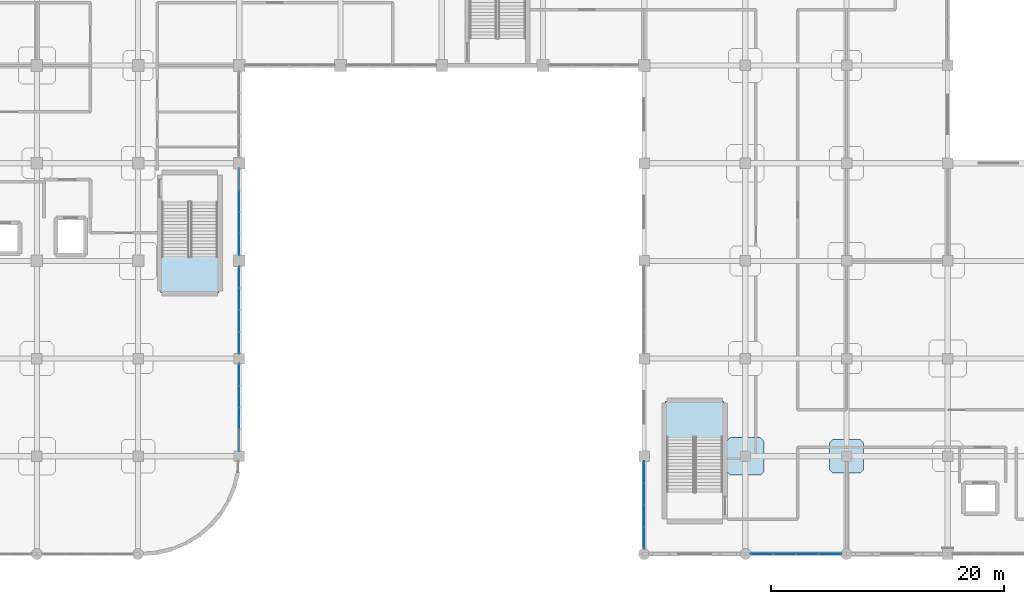
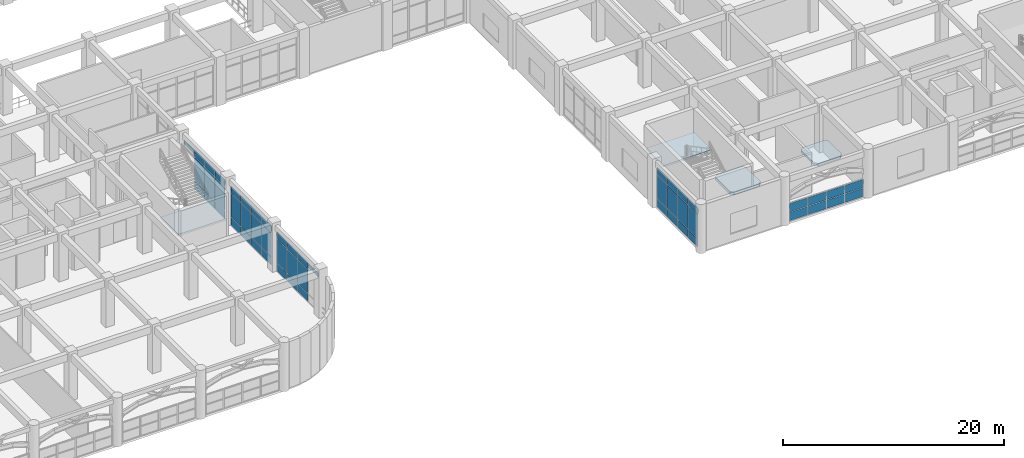
# One storey, part 82 of 114: 55 plates, 4 slabs, 7 elements without a shape of their own.
"""IFC4 building model written with IfcOpenShell, lengths in metres."""

from ifc_helpers import new_model, si_unit, derived_unit, direction, frame, origin, origin_2d, place, context, subcontext, project, spatial, polyline, rectangle, outline, extrude, material, layer, layer_set, type_object, element, aggregate, save


model = new_model("IFC4")

# Units and contexts
model_context = context("Model", 3, precision=1e-05, world=origin(), true_north=direction((0.0, 1.0)))
body_context = subcontext(model_context, "Body", "Model", "MODEL_VIEW")
ifc_project = project(units=[si_unit("LENGTHUNIT", "METRE"), si_unit("AREAUNIT", "SQUARE_METRE"), si_unit("VOLUMEUNIT", "CUBIC_METRE"), si_unit("PLANEANGLEUNIT", "RADIAN"), si_unit("MASSUNIT", "GRAM", prefix="KILO"), derived_unit("THERMALTRANSMITTANCEUNIT", [(si_unit("MASSUNIT", "GRAM", prefix="KILO"), 1), (si_unit("TIMEUNIT", "SECOND"), -3), (si_unit("THERMODYNAMICTEMPERATUREUNIT", "KELVIN"), -1)])], contexts=[model_context])

# Site, building, storey
site_placement = place(None, origin())
site = spatial("IfcSite", under=ifc_project, at=site_placement, CompositionType="ELEMENT")
building_placement = place(site_placement, origin())
building = spatial("IfcBuilding", under=site, at=building_placement, Name="Qinzheling Arcade Emporium", CompositionType="ELEMENT")
storey_placement = place(building_placement, frame((0.0, 0.0, 6.0)))
storey = spatial("IfcBuildingStorey", under=building, at=storey_placement, Name="L02", CompositionType="ELEMENT", Elevation=6.0)

# Slabs
ifc_material_1 = material(Name="Concrete C40", Category="concrete")
ifc_layer_1 = layer(ifc_material_1, 0.27001953125, Name="Concrete C40", Category="concrete")
ifc_layer_set_1 = layer_set([ifc_layer_1], Name="Concrete C40")
slab_type_1 = type_object("IfcSlabType", Name="Column Head Drop Panel 2900x2900x270 C40", PredefinedType="USERDEFINED", material=ifc_layer_set_1)
slab_1_placement = place(storey_placement, frame((0.0, 0.0, -0.56494140625)))
element("IfcSlab", 1, at=slab_1_placement, inside=storey, type_object=slab_type_1, Name="Column Drop Panel DP-L02-15-B", ObjectType="DROP_PANEL", PredefinedType="USERDEFINED", context=body_context, shape_type="SweptSolid", body=[
    extrude(outline(polyline([(120.6298828125, 6.949951171875), (122.969970703125, 6.949951171875), (123.25, 7.22998046875), (123.25, 9.570068359375), (122.969970703125, 9.85009765625), (120.6298828125, 9.85009765625), (120.35009765625, 9.570068359375), (120.35009765625, 7.22998046875), (120.6298828125, 6.949951171875)])), origin(), (0.0, 0.0, 1.0), 0.27001953125),
])
ifc_layer_2 = layer(ifc_material_1, 0.300048828125, Name="Concrete C40", Category="concrete")
ifc_layer_set_2 = layer_set([ifc_layer_2], Name="Concrete C40")
slab_type_2 = type_object("IfcSlabType", Name="Column Head Drop Panel 3200x3200x300 C40", PredefinedType="USERDEFINED", material=ifc_layer_set_2)
slab_2_placement = place(storey_placement, frame((0.0, 0.0, -0.580078125)))
element("IfcSlab", 2, at=slab_2_placement, inside=storey, type_object=slab_type_2, Name="Column Drop Panel DP-L02-14-B", ObjectType="DROP_PANEL", PredefinedType="USERDEFINED", context=body_context, shape_type="SweptSolid", body=[
    extrude(outline(polyline([(111.780029296875, 6.800048828125), (114.419921875, 6.800048828125), (114.699951171875, 7.080078125), (114.699951171875, 9.719970703125), (114.419921875, 10.0), (111.780029296875, 10.0), (111.5, 9.719970703125), (111.5, 7.080078125), (111.780029296875, 6.800048828125)])), origin(), (0.0, 0.0, 1.0), 0.300048828125),
])

# Curtain wall, plates
ifc_material_2 = material(Name="Anodised aluminium and solar-control double glazing", Category="aluminium")
ifc_layer_3 = layer(ifc_material_2, 0.159912109375, Name="Anodised aluminium and solar-control double glazing", Category="aluminium")
ifc_layer_set_3 = layer_set([ifc_layer_3], Name="Anodised aluminium and solar-control double glazing")
curtain_wall_type = type_object("IfcCurtainWallType", Name="Arcade Portal Glazed Curtain Wall", PredefinedType="NOTDEFINED", material=ifc_layer_set_3)
curtain_wall_1_placement = place(storey_placement, origin())
curtain_wall_1 = element("IfcCurtainWall", 3, at=curtain_wall_1_placement, inside=storey, type_object=curtain_wall_type, Name="Curtain Wall CW-L02-066", PredefinedType="NOTDEFINED")
ifc_material_3 = material(Name="Laminated solar-control double glazing", Category="glass")
ifc_layer_4 = layer(ifc_material_3, 0.02490234375, Name="Laminated solar-control double glazing", Category="glass")
ifc_layer_set_4 = layer_set([ifc_layer_4], Name="Laminated solar-control double glazing")
plate_type_1 = type_object("IfcPlateType", Name="Low-E Double Glazed Curtain Panel 25mm", PredefinedType="CURTAIN_PANEL", material=ifc_layer_set_4)
plate_1_placement = place(storey_placement, frame((69.60009765625, 30.324462890625, 0.06005859375), z_axis=(0.0, 0.0, 1.0), x_axis=(0.0, -1.0, 0.0)))
plate_1 = element("IfcPlate", 4, at=plate_1_placement, type_object=plate_type_1, Name="CW05 panel 2.1", PredefinedType="CURTAIN_PANEL", context=body_context, shape_type="SweptSolid", body=[
    extrude(rectangle(XDim=1.7890625, YDim=0.02490234375, at=origin_2d()), origin(), (0.0, 0.0, 1.0), 0.860107421875),
])
plate_2_placement = place(storey_placement, frame((69.60009765625, 30.324462890625, 0.97998046875), z_axis=(0.0, 0.0, 1.0), x_axis=(0.0, -1.0, 0.0)))
plate_2 = element("IfcPlate", 5, at=plate_2_placement, type_object=plate_type_1, Name="CW05 panel 2.2", PredefinedType="CURTAIN_PANEL", context=body_context, shape_type="SweptSolid", body=[
    extrude(rectangle(XDim=1.7890625, YDim=0.02490234375, at=origin_2d()), origin(), (0.0, 0.0, 1.0), 2.594970703125),
])
plate_3_placement = place(storey_placement, frame((69.60009765625, 30.324462890625, 3.634765625), z_axis=(0.0, 0.0, 1.0), x_axis=(0.0, -1.0, 0.0)))
plate_3 = element("IfcPlate", 6, at=plate_3_placement, type_object=plate_type_1, Name="CW05 panel 2.3", PredefinedType="CURTAIN_PANEL", context=body_context, shape_type="SweptSolid", body=[
    extrude(rectangle(XDim=1.7890625, YDim=0.02490234375, at=origin_2d()), origin(), (0.0, 0.0, 1.0), 0.760009765625),
])
plate_4_placement = place(storey_placement, frame((69.60009765625, 28.4755859375, 0.06005859375), z_axis=(0.0, 0.0, 1.0), x_axis=(0.0, -1.0, 0.0)))
plate_4 = element("IfcPlate", 7, at=plate_4_placement, type_object=plate_type_1, Name="CW05 panel 3.1", PredefinedType="CURTAIN_PANEL", context=body_context, shape_type="SweptSolid", body=[
    extrude(rectangle(XDim=1.7890625, YDim=0.02490234375, at=origin_2d()), origin(), (0.0, 0.0, 1.0), 0.860107421875),
])
plate_5_placement = place(storey_placement, frame((69.60009765625, 28.4755859375, 0.97998046875), z_axis=(0.0, 0.0, 1.0), x_axis=(0.0, -1.0, 0.0)))
plate_5 = element("IfcPlate", 8, at=plate_5_placement, type_object=plate_type_1, Name="CW05 panel 3.2", PredefinedType="CURTAIN_PANEL", context=body_context, shape_type="SweptSolid", body=[
    extrude(rectangle(XDim=1.7890625, YDim=0.02490234375, at=origin_2d()), origin(), (0.0, 0.0, 1.0), 2.594970703125),
])
plate_6_placement = place(storey_placement, frame((69.60009765625, 28.4755859375, 3.634765625), z_axis=(0.0, 0.0, 1.0), x_axis=(0.0, -1.0, 0.0)))
plate_6 = element("IfcPlate", 9, at=plate_6_placement, type_object=plate_type_1, Name="CW05 panel 3.3", PredefinedType="CURTAIN_PANEL", context=body_context, shape_type="SweptSolid", body=[
    extrude(rectangle(XDim=1.7890625, YDim=0.02490234375, at=origin_2d()), origin(), (0.0, 0.0, 1.0), 0.760009765625),
])
plate_7_placement = place(storey_placement, frame((69.60009765625, 26.6416015625, 0.06005859375), z_axis=(0.0, 0.0, 1.0), x_axis=(0.0, -1.0, 0.0)))
plate_7 = element("IfcPlate", 10, at=plate_7_placement, type_object=plate_type_1, Name="CW05 panel 4.1", PredefinedType="CURTAIN_PANEL", context=body_context, shape_type="SweptSolid", body=[
    extrude(rectangle(XDim=1.759033203125, YDim=0.02490234375, at=origin_2d()), origin(), (0.0, 0.0, 1.0), 0.860107421875),
])
plate_8_placement = place(storey_placement, frame((69.60009765625, 26.6416015625, 0.97998046875), z_axis=(0.0, 0.0, 1.0), x_axis=(0.0, -1.0, 0.0)))
plate_8 = element("IfcPlate", 11, at=plate_8_placement, type_object=plate_type_1, Name="CW05 panel 4.2", PredefinedType="CURTAIN_PANEL", context=body_context, shape_type="SweptSolid", body=[
    extrude(rectangle(XDim=1.759033203125, YDim=0.02490234375, at=origin_2d()), origin(), (0.0, 0.0, 1.0), 2.594970703125),
])
plate_9_placement = place(storey_placement, frame((69.60009765625, 26.6416015625, 3.634765625), z_axis=(0.0, 0.0, 1.0), x_axis=(0.0, -1.0, 0.0)))
plate_9 = element("IfcPlate", 12, at=plate_9_placement, type_object=plate_type_1, Name="CW05 panel 4.3", PredefinedType="CURTAIN_PANEL", context=body_context, shape_type="SweptSolid", body=[
    extrude(rectangle(XDim=1.759033203125, YDim=0.02490234375, at=origin_2d()), origin(), (0.0, 0.0, 1.0), 0.760009765625),
])
aggregate(curtain_wall_1, [plate_1, plate_2, plate_3, plate_4, plate_5, plate_6, plate_7, plate_8, plate_9])

curtain_wall_2_placement = place(storey_placement, origin())
curtain_wall_2 = element("IfcCurtainWall", 13, at=curtain_wall_2_placement, inside=storey, type_object=curtain_wall_type, Name="Curtain Wall CW-L02-067", PredefinedType="NOTDEFINED")
ifc_layer_5 = layer(ifc_material_3, 0.02587890625, Name="Laminated solar-control double glazing", Category="glass")
ifc_layer_set_5 = layer_set([ifc_layer_5], Name="Laminated solar-control double glazing")
plate_type_2 = type_object("IfcPlateType", Name="Low-E Double Glazed Curtain Panel 26mm", PredefinedType="CURTAIN_PANEL", material=ifc_layer_set_5)
plate_10_placement = place(storey_placement, frame((69.60009765625, 23.752197265625, 0.06005859375), z_axis=(0.0, 0.0, 1.0), x_axis=(0.0, -1.0, 0.0)))
plate_10 = element("IfcPlate", 14, at=plate_10_placement, type_object=plate_type_2, Name="CW05 panel 1.1", PredefinedType="CURTAIN_PANEL", context=body_context, shape_type="SweptSolid", body=[
    extrude(rectangle(XDim=1.771484375, YDim=0.02587890625, at=origin_2d()), origin(), (0.0, 0.0, 1.0), 0.860107421875),
])
plate_11_placement = place(storey_placement, frame((69.60009765625, 23.752197265625, 0.97998046875), z_axis=(0.0, 0.0, 1.0), x_axis=(0.0, -1.0, 0.0)))
plate_11 = element("IfcPlate", 15, at=plate_11_placement, type_object=plate_type_2, Name="CW05 panel 1.2", PredefinedType="CURTAIN_PANEL", context=body_context, shape_type="SweptSolid", body=[
    extrude(rectangle(XDim=1.771484375, YDim=0.02587890625, at=origin_2d()), origin(), (0.0, 0.0, 1.0), 2.594970703125),
])
plate_12_placement = place(storey_placement, frame((69.60009765625, 23.752197265625, 3.634765625), z_axis=(0.0, 0.0, 1.0), x_axis=(0.0, -1.0, 0.0)))
plate_12 = element("IfcPlate", 16, at=plate_12_placement, type_object=plate_type_2, Name="CW05 panel 1.3", PredefinedType="CURTAIN_PANEL", context=body_context, shape_type="SweptSolid", body=[
    extrude(rectangle(XDim=1.771484375, YDim=0.02587890625, at=origin_2d()), origin(), (0.0, 0.0, 1.0), 0.760009765625),
])
plate_13_placement = place(storey_placement, frame((69.60009765625, 21.90576171875, 0.06005859375), z_axis=(0.0, 0.0, 1.0), x_axis=(0.0, -1.0, 0.0)))
plate_13 = element("IfcPlate", 17, at=plate_13_placement, type_object=plate_type_2, Name="CW05 panel 2.1", PredefinedType="CURTAIN_PANEL", context=body_context, shape_type="SweptSolid", body=[
    extrude(rectangle(XDim=1.801513671875, YDim=0.02587890625, at=origin_2d()), origin(), (0.0, 0.0, 1.0), 0.860107421875),
])
plate_14_placement = place(storey_placement, frame((69.60009765625, 21.90576171875, 0.97998046875), z_axis=(0.0, 0.0, 1.0), x_axis=(0.0, -1.0, 0.0)))
plate_14 = element("IfcPlate", 18, at=plate_14_placement, type_object=plate_type_2, Name="CW05 panel 2.2", PredefinedType="CURTAIN_PANEL", context=body_context, shape_type="SweptSolid", body=[
    extrude(rectangle(XDim=1.801513671875, YDim=0.02587890625, at=origin_2d()), origin(), (0.0, 0.0, 1.0), 2.594970703125),
])
plate_15_placement = place(storey_placement, frame((69.60009765625, 21.90576171875, 3.634765625), z_axis=(0.0, 0.0, 1.0), x_axis=(0.0, -1.0, 0.0)))
plate_15 = element("IfcPlate", 19, at=plate_15_placement, type_object=plate_type_2, Name="CW05 panel 2.3", PredefinedType="CURTAIN_PANEL", context=body_context, shape_type="SweptSolid", body=[
    extrude(rectangle(XDim=1.801513671875, YDim=0.02587890625, at=origin_2d()), origin(), (0.0, 0.0, 1.0), 0.760009765625),
])
plate_16_placement = place(storey_placement, frame((69.60009765625, 20.044189453125, 0.06005859375), z_axis=(0.0, 0.0, 1.0), x_axis=(0.0, -1.0, 0.0)))
plate_16 = element("IfcPlate", 20, at=plate_16_placement, type_object=plate_type_2, Name="CW05 panel 3.1", PredefinedType="CURTAIN_PANEL", context=body_context, shape_type="SweptSolid", body=[
    extrude(rectangle(XDim=1.801513671875, YDim=0.02587890625, at=origin_2d()), origin(), (0.0, 0.0, 1.0), 0.860107421875),
])
plate_17_placement = place(storey_placement, frame((69.60009765625, 20.044189453125, 0.97998046875), z_axis=(0.0, 0.0, 1.0), x_axis=(0.0, -1.0, 0.0)))
plate_17 = element("IfcPlate", 21, at=plate_17_placement, type_object=plate_type_2, Name="CW05 panel 3.2", PredefinedType="CURTAIN_PANEL", context=body_context, shape_type="SweptSolid", body=[
    extrude(rectangle(XDim=1.801513671875, YDim=0.02587890625, at=origin_2d()), origin(), (0.0, 0.0, 1.0), 2.594970703125),
])
plate_18_placement = place(storey_placement, frame((69.60009765625, 20.044189453125, 3.634765625), z_axis=(0.0, 0.0, 1.0), x_axis=(0.0, -1.0, 0.0)))
plate_18 = element("IfcPlate", 22, at=plate_18_placement, type_object=plate_type_2, Name="CW05 panel 3.3", PredefinedType="CURTAIN_PANEL", context=body_context, shape_type="SweptSolid", body=[
    extrude(rectangle(XDim=1.801513671875, YDim=0.02587890625, at=origin_2d()), origin(), (0.0, 0.0, 1.0), 0.760009765625),
])
plate_19_placement = place(storey_placement, frame((69.60009765625, 18.19775390625, 0.06005859375), z_axis=(0.0, 0.0, 1.0), x_axis=(0.0, -1.0, 0.0)))
plate_19 = element("IfcPlate", 23, at=plate_19_placement, type_object=plate_type_2, Name="CW05 panel 4.1", PredefinedType="CURTAIN_PANEL", context=body_context, shape_type="SweptSolid", body=[
    extrude(rectangle(XDim=1.771484375, YDim=0.02587890625, at=origin_2d()), origin(), (0.0, 0.0, 1.0), 0.860107421875),
])
plate_20_placement = place(storey_placement, frame((69.60009765625, 18.19775390625, 0.97998046875), z_axis=(0.0, 0.0, 1.0), x_axis=(0.0, -1.0, 0.0)))
plate_20 = element("IfcPlate", 24, at=plate_20_placement, type_object=plate_type_2, Name="CW05 panel 4.2", PredefinedType="CURTAIN_PANEL", context=body_context, shape_type="SweptSolid", body=[
    extrude(rectangle(XDim=1.771484375, YDim=0.02587890625, at=origin_2d()), origin(), (0.0, 0.0, 1.0), 2.594970703125),
])
plate_21_placement = place(storey_placement, frame((69.60009765625, 18.19775390625, 3.634765625), z_axis=(0.0, 0.0, 1.0), x_axis=(0.0, -1.0, 0.0)))
plate_21 = element("IfcPlate", 25, at=plate_21_placement, type_object=plate_type_2, Name="CW05 panel 4.3", PredefinedType="CURTAIN_PANEL", context=body_context, shape_type="SweptSolid", body=[
    extrude(rectangle(XDim=1.771484375, YDim=0.02587890625, at=origin_2d()), origin(), (0.0, 0.0, 1.0), 0.760009765625),
])
aggregate(curtain_wall_2, [plate_10, plate_11, plate_12, plate_13, plate_14, plate_15, plate_16, plate_17, plate_18, plate_19, plate_20, plate_21])

curtain_wall_3_placement = place(storey_placement, origin())
curtain_wall_3 = element("IfcCurtainWall", 26, at=curtain_wall_3_placement, inside=storey, type_object=curtain_wall_type, Name="Curtain Wall CW-L02-068", PredefinedType="NOTDEFINED")
ifc_layer_6 = layer(ifc_material_3, 0.027099609375, Name="Laminated solar-control double glazing", Category="glass")
ifc_layer_set_6 = layer_set([ifc_layer_6], Name="Laminated solar-control double glazing")
plate_type_3 = type_object("IfcPlateType", Name="Low-E Double Glazed Curtain Panel 27mm", PredefinedType="CURTAIN_PANEL", material=ifc_layer_set_6)
plate_22_placement = place(storey_placement, frame((69.60009765625, 15.39599609375, 0.06005859375), z_axis=(0.0, 0.0, 1.0), x_axis=(0.0, -1.0, 0.0)))
plate_22 = element("IfcPlate", 27, at=plate_22_placement, type_object=plate_type_3, Name="CW05 panel 1.1", PredefinedType="CURTAIN_PANEL", context=body_context, shape_type="SweptSolid", body=[
    extrude(rectangle(XDim=1.783935546875, YDim=0.027099609375, at=origin_2d()), origin(), (0.0, 0.0, 1.0), 0.860107421875),
])
plate_23_placement = place(storey_placement, frame((69.60009765625, 15.39599609375, 0.97998046875), z_axis=(0.0, 0.0, 1.0), x_axis=(0.0, -1.0, 0.0)))
plate_23 = element("IfcPlate", 28, at=plate_23_placement, type_object=plate_type_3, Name="CW05 panel 1.2", PredefinedType="CURTAIN_PANEL", context=body_context, shape_type="SweptSolid", body=[
    extrude(rectangle(XDim=1.783935546875, YDim=0.027099609375, at=origin_2d()), origin(), (0.0, 0.0, 1.0), 2.594970703125),
])
plate_24_placement = place(storey_placement, frame((69.60009765625, 15.39599609375, 3.634765625), z_axis=(0.0, 0.0, 1.0), x_axis=(0.0, -1.0, 0.0)))
plate_24 = element("IfcPlate", 29, at=plate_24_placement, type_object=plate_type_3, Name="CW05 panel 1.3", PredefinedType="CURTAIN_PANEL", context=body_context, shape_type="SweptSolid", body=[
    extrude(rectangle(XDim=1.783935546875, YDim=0.027099609375, at=origin_2d()), origin(), (0.0, 0.0, 1.0), 0.760009765625),
])
plate_25_placement = place(storey_placement, frame((69.60009765625, 13.537109375, 0.06005859375), z_axis=(0.0, 0.0, 1.0), x_axis=(0.0, -1.0, 0.0)))
plate_25 = element("IfcPlate", 30, at=plate_25_placement, type_object=plate_type_3, Name="CW05 panel 2.1", PredefinedType="CURTAIN_PANEL", context=body_context, shape_type="SweptSolid", body=[
    extrude(rectangle(XDim=1.81396484375, YDim=0.027099609375, at=origin_2d()), origin(), (0.0, 0.0, 1.0), 0.860107421875),
])
plate_26_placement = place(storey_placement, frame((69.60009765625, 13.537109375, 0.97998046875), z_axis=(0.0, 0.0, 1.0), x_axis=(0.0, -1.0, 0.0)))
plate_26 = element("IfcPlate", 31, at=plate_26_placement, type_object=plate_type_3, Name="CW05 panel 2.2", PredefinedType="CURTAIN_PANEL", context=body_context, shape_type="SweptSolid", body=[
    extrude(rectangle(XDim=1.81396484375, YDim=0.027099609375, at=origin_2d()), origin(), (0.0, 0.0, 1.0), 2.594970703125),
])
plate_27_placement = place(storey_placement, frame((69.60009765625, 13.537109375, 3.634765625), z_axis=(0.0, 0.0, 1.0), x_axis=(0.0, -1.0, 0.0)))
plate_27 = element("IfcPlate", 32, at=plate_27_placement, type_object=plate_type_3, Name="CW05 panel 2.3", PredefinedType="CURTAIN_PANEL", context=body_context, shape_type="SweptSolid", body=[
    extrude(rectangle(XDim=1.81396484375, YDim=0.027099609375, at=origin_2d()), origin(), (0.0, 0.0, 1.0), 0.760009765625),
])
plate_28_placement = place(storey_placement, frame((69.60009765625, 11.6630859375, 0.06005859375), z_axis=(0.0, 0.0, 1.0), x_axis=(0.0, -1.0, 0.0)))
plate_28 = element("IfcPlate", 33, at=plate_28_placement, type_object=plate_type_3, Name="CW05 panel 3.1", PredefinedType="CURTAIN_PANEL", context=body_context, shape_type="SweptSolid", body=[
    extrude(rectangle(XDim=1.81396484375, YDim=0.027099609375, at=origin_2d()), origin(), (0.0, 0.0, 1.0), 0.860107421875),
])
plate_29_placement = place(storey_placement, frame((69.60009765625, 11.6630859375, 0.97998046875), z_axis=(0.0, 0.0, 1.0), x_axis=(0.0, -1.0, 0.0)))
plate_29 = element("IfcPlate", 34, at=plate_29_placement, type_object=plate_type_3, Name="CW05 panel 3.2", PredefinedType="CURTAIN_PANEL", context=body_context, shape_type="SweptSolid", body=[
    extrude(rectangle(XDim=1.81396484375, YDim=0.027099609375, at=origin_2d()), origin(), (0.0, 0.0, 1.0), 2.594970703125),
])
plate_30_placement = place(storey_placement, frame((69.60009765625, 11.6630859375, 3.634765625), z_axis=(0.0, 0.0, 1.0), x_axis=(0.0, -1.0, 0.0)))
plate_30 = element("IfcPlate", 35, at=plate_30_placement, type_object=plate_type_3, Name="CW05 panel 3.3", PredefinedType="CURTAIN_PANEL", context=body_context, shape_type="SweptSolid", body=[
    extrude(rectangle(XDim=1.81396484375, YDim=0.027099609375, at=origin_2d()), origin(), (0.0, 0.0, 1.0), 0.760009765625),
])
aggregate(curtain_wall_3, [plate_22, plate_23, plate_24, plate_25, plate_26, plate_27, plate_28, plate_29, plate_30])

curtain_wall_4_placement = place(storey_placement, origin())
curtain_wall_4 = element("IfcCurtainWall", 36, at=curtain_wall_4_placement, inside=storey, type_object=curtain_wall_type, Name="Curtain Wall CW-L02-059", PredefinedType="NOTDEFINED")
ifc_layer_7 = layer(ifc_material_3, 0.035888671875, Name="Laminated solar-control double glazing", Category="glass")
ifc_layer_set_7 = layer_set([ifc_layer_7], Name="Laminated solar-control double glazing")
plate_type_4 = type_object("IfcPlateType", Name="Low-E Double Glazed Curtain Panel 36mm", PredefinedType="CURTAIN_PANEL", material=ifc_layer_set_7)
plate_31_placement = place(storey_placement, frame((120.33984375, 0.0, 0.06005859375), z_axis=(0.0, 0.0, 1.0), x_axis=(-1.0, 0.0, 0.0)))
plate_31 = element("IfcPlate", 37, at=plate_31_placement, type_object=plate_type_4, Name="CW05 panel 1.1", PredefinedType="CURTAIN_PANEL", context=body_context, shape_type="SweptSolid", body=[
    extrude(rectangle(XDim=1.846435546875, YDim=0.035888671875, at=origin_2d()), origin(), (0.0, 0.0, 1.0), 0.9150390625),
])
plate_32_placement = place(storey_placement, frame((120.33984375, 0.0, 1.034912109375), z_axis=(0.0, 0.0, 1.0), x_axis=(-1.0, 0.0, 0.0)))
plate_32 = element("IfcPlate", 38, at=plate_32_placement, type_object=plate_type_4, Name="CW05 panel 1.2", PredefinedType="CURTAIN_PANEL", context=body_context, shape_type="SweptSolid", body=[
    extrude(rectangle(XDim=1.846435546875, YDim=0.035888671875, at=origin_2d()), origin(), (0.0, 0.0, 1.0), 0.9150390625),
])
plate_33_placement = place(storey_placement, frame((118.418212890625, 0.0, 0.06005859375), z_axis=(0.0, 0.0, 1.0), x_axis=(-1.0, 0.0, 0.0)))
plate_33 = element("IfcPlate", 39, at=plate_33_placement, type_object=plate_type_4, Name="CW05 panel 2.1", PredefinedType="CURTAIN_PANEL", context=body_context, shape_type="SweptSolid", body=[
    extrude(rectangle(XDim=1.87646484375, YDim=0.035888671875, at=origin_2d()), origin(), (0.0, 0.0, 1.0), 0.9150390625),
])
plate_34_placement = place(storey_placement, frame((118.418212890625, 0.0, 1.034912109375), z_axis=(0.0, 0.0, 1.0), x_axis=(-1.0, 0.0, 0.0)))
plate_34 = element("IfcPlate", 40, at=plate_34_placement, type_object=plate_type_4, Name="CW05 panel 2.2", PredefinedType="CURTAIN_PANEL", context=body_context, shape_type="SweptSolid", body=[
    extrude(rectangle(XDim=1.87646484375, YDim=0.035888671875, at=origin_2d()), origin(), (0.0, 0.0, 1.0), 0.9150390625),
])
plate_35_placement = place(storey_placement, frame((116.481689453125, 0.0, 0.06005859375), z_axis=(0.0, 0.0, 1.0), x_axis=(-1.0, 0.0, 0.0)))
plate_35 = element("IfcPlate", 41, at=plate_35_placement, type_object=plate_type_4, Name="CW05 panel 3.1", PredefinedType="CURTAIN_PANEL", context=body_context, shape_type="SweptSolid", body=[
    extrude(rectangle(XDim=1.87646484375, YDim=0.035888671875, at=origin_2d()), origin(), (0.0, 0.0, 1.0), 0.9150390625),
])
plate_36_placement = place(storey_placement, frame((116.481689453125, 0.0, 1.034912109375), z_axis=(0.0, 0.0, 1.0), x_axis=(-1.0, 0.0, 0.0)))
plate_36 = element("IfcPlate", 42, at=plate_36_placement, type_object=plate_type_4, Name="CW05 panel 3.2", PredefinedType="CURTAIN_PANEL", context=body_context, shape_type="SweptSolid", body=[
    extrude(rectangle(XDim=1.87646484375, YDim=0.035888671875, at=origin_2d()), origin(), (0.0, 0.0, 1.0), 0.9150390625),
])
plate_37_placement = place(storey_placement, frame((114.560302734375, 0.0, 0.06005859375), z_axis=(0.0, 0.0, 1.0), x_axis=(-1.0, 0.0, 0.0)))
plate_37 = element("IfcPlate", 43, at=plate_37_placement, type_object=plate_type_4, Name="CW05 panel 4.1", PredefinedType="CURTAIN_PANEL", context=body_context, shape_type="SweptSolid", body=[
    extrude(rectangle(XDim=1.846435546875, YDim=0.035888671875, at=origin_2d()), origin(), (0.0, 0.0, 1.0), 0.9150390625),
])
plate_38_placement = place(storey_placement, frame((114.560302734375, 0.0, 1.034912109375), z_axis=(0.0, 0.0, 1.0), x_axis=(-1.0, 0.0, 0.0)))
plate_38 = element("IfcPlate", 44, at=plate_38_placement, type_object=plate_type_4, Name="CW05 panel 4.2", PredefinedType="CURTAIN_PANEL", context=body_context, shape_type="SweptSolid", body=[
    extrude(rectangle(XDim=1.846435546875, YDim=0.035888671875, at=origin_2d()), origin(), (0.0, 0.0, 1.0), 0.9150390625),
])
aggregate(curtain_wall_4, [plate_31, plate_32, plate_33, plate_34, plate_35, plate_36, plate_37, plate_38])

curtain_wall_5_placement = place(storey_placement, origin())
curtain_wall_5 = element("IfcCurtainWall", 45, at=curtain_wall_5_placement, inside=storey, type_object=curtain_wall_type, Name="Curtain Wall CW-L02-060", PredefinedType="NOTDEFINED")
ifc_layer_8 = layer(ifc_material_3, 0.0380859375, Name="Laminated solar-control double glazing", Category="glass")
ifc_layer_set_8 = layer_set([ifc_layer_8], Name="Laminated solar-control double glazing")
plate_type_5 = type_object("IfcPlateType", Name="Low-E Double Glazed Curtain Panel 38mm", PredefinedType="CURTAIN_PANEL", material=ifc_layer_set_8)
plate_39_placement = place(storey_placement, frame((104.39990234375, 1.42578125, 0.06005859375), z_axis=(0.0, 0.0, 1.0), x_axis=(0.0, 1.0, 0.0)))
plate_39 = element("IfcPlate", 46, at=plate_39_placement, type_object=plate_type_5, Name="CW05 panel 1.1", PredefinedType="CURTAIN_PANEL", context=body_context, shape_type="SweptSolid", body=[
    extrude(rectangle(XDim=1.77783203125, YDim=0.0380859375, at=origin_2d()), origin(), (0.0, 0.0, 1.0), 0.860107421875),
])
plate_40_placement = place(storey_placement, frame((104.39990234375, 1.42578125, 0.97998046875), z_axis=(0.0, 0.0, 1.0), x_axis=(0.0, 1.0, 0.0)))
plate_40 = element("IfcPlate", 47, at=plate_40_placement, type_object=plate_type_5, Name="CW05 panel 1.2", PredefinedType="CURTAIN_PANEL", context=body_context, shape_type="SweptSolid", body=[
    extrude(rectangle(XDim=1.77783203125, YDim=0.0380859375, at=origin_2d()), origin(), (0.0, 0.0, 1.0), 2.594970703125),
])
plate_41_placement = place(storey_placement, frame((104.39990234375, 1.42578125, 3.634765625), z_axis=(0.0, 0.0, 1.0), x_axis=(0.0, 1.0, 0.0)))
plate_41 = element("IfcPlate", 48, at=plate_41_placement, type_object=plate_type_5, Name="CW05 panel 1.3", PredefinedType="CURTAIN_PANEL", context=body_context, shape_type="SweptSolid", body=[
    extrude(rectangle(XDim=1.77783203125, YDim=0.0380859375, at=origin_2d()), origin(), (0.0, 0.0, 1.0), 0.760009765625),
])
plate_42_placement = place(storey_placement, frame((104.39990234375, 3.278564453125, 0.06005859375), z_axis=(0.0, 0.0, 1.0), x_axis=(0.0, 1.0, 0.0)))
plate_42 = element("IfcPlate", 49, at=plate_42_placement, type_object=plate_type_5, Name="CW05 panel 2.1", PredefinedType="CURTAIN_PANEL", context=body_context, shape_type="SweptSolid", body=[
    extrude(rectangle(XDim=1.807861328125, YDim=0.0380859375, at=origin_2d()), origin(), (0.0, 0.0, 1.0), 0.860107421875),
])
plate_43_placement = place(storey_placement, frame((104.39990234375, 3.278564453125, 0.97998046875), z_axis=(0.0, 0.0, 1.0), x_axis=(0.0, 1.0, 0.0)))
plate_43 = element("IfcPlate", 50, at=plate_43_placement, type_object=plate_type_5, Name="CW05 panel 2.2", PredefinedType="CURTAIN_PANEL", context=body_context, shape_type="SweptSolid", body=[
    extrude(rectangle(XDim=1.807861328125, YDim=0.0380859375, at=origin_2d()), origin(), (0.0, 0.0, 1.0), 2.594970703125),
])
plate_44_placement = place(storey_placement, frame((104.39990234375, 3.278564453125, 3.634765625), z_axis=(0.0, 0.0, 1.0), x_axis=(0.0, 1.0, 0.0)))
plate_44 = element("IfcPlate", 51, at=plate_44_placement, type_object=plate_type_5, Name="CW05 panel 2.3", PredefinedType="CURTAIN_PANEL", context=body_context, shape_type="SweptSolid", body=[
    extrude(rectangle(XDim=1.807861328125, YDim=0.0380859375, at=origin_2d()), origin(), (0.0, 0.0, 1.0), 0.760009765625),
])
plate_45_placement = place(storey_placement, frame((104.39990234375, 5.146484375, 0.06005859375), z_axis=(0.0, 0.0, 1.0), x_axis=(0.0, 1.0, 0.0)))
plate_45 = element("IfcPlate", 52, at=plate_45_placement, type_object=plate_type_5, Name="CW05 panel 3.1", PredefinedType="CURTAIN_PANEL", context=body_context, shape_type="SweptSolid", body=[
    extrude(rectangle(XDim=1.807861328125, YDim=0.0380859375, at=origin_2d()), origin(), (0.0, 0.0, 1.0), 0.860107421875),
])
plate_46_placement = place(storey_placement, frame((104.39990234375, 5.146484375, 0.97998046875), z_axis=(0.0, 0.0, 1.0), x_axis=(0.0, 1.0, 0.0)))
plate_46 = element("IfcPlate", 53, at=plate_46_placement, type_object=plate_type_5, Name="CW05 panel 3.2", PredefinedType="CURTAIN_PANEL", context=body_context, shape_type="SweptSolid", body=[
    extrude(rectangle(XDim=1.807861328125, YDim=0.0380859375, at=origin_2d()), origin(), (0.0, 0.0, 1.0), 2.594970703125),
])
plate_47_placement = place(storey_placement, frame((104.39990234375, 5.146484375, 3.634765625), z_axis=(0.0, 0.0, 1.0), x_axis=(0.0, 1.0, 0.0)))
plate_47 = element("IfcPlate", 54, at=plate_47_placement, type_object=plate_type_5, Name="CW05 panel 3.3", PredefinedType="CURTAIN_PANEL", context=body_context, shape_type="SweptSolid", body=[
    extrude(rectangle(XDim=1.807861328125, YDim=0.0380859375, at=origin_2d()), origin(), (0.0, 0.0, 1.0), 0.760009765625),
])
plate_48_placement = place(storey_placement, frame((104.39990234375, 6.9990234375, 0.06005859375), z_axis=(0.0, 0.0, 1.0), x_axis=(0.0, 1.0, 0.0)))
plate_48 = element("IfcPlate", 55, at=plate_48_placement, type_object=plate_type_5, Name="CW05 panel 4.1", PredefinedType="CURTAIN_PANEL", context=body_context, shape_type="SweptSolid", body=[
    extrude(rectangle(XDim=1.77783203125, YDim=0.0380859375, at=origin_2d()), origin(), (0.0, 0.0, 1.0), 0.860107421875),
])
plate_49_placement = place(storey_placement, frame((104.39990234375, 6.9990234375, 0.97998046875), z_axis=(0.0, 0.0, 1.0), x_axis=(0.0, 1.0, 0.0)))
plate_49 = element("IfcPlate", 56, at=plate_49_placement, type_object=plate_type_5, Name="CW05 panel 4.2", PredefinedType="CURTAIN_PANEL", context=body_context, shape_type="SweptSolid", body=[
    extrude(rectangle(XDim=1.77783203125, YDim=0.0380859375, at=origin_2d()), origin(), (0.0, 0.0, 1.0), 2.594970703125),
])
plate_50_placement = place(storey_placement, frame((104.39990234375, 6.9990234375, 3.634765625), z_axis=(0.0, 0.0, 1.0), x_axis=(0.0, 1.0, 0.0)))
plate_50 = element("IfcPlate", 57, at=plate_50_placement, type_object=plate_type_5, Name="CW05 panel 4.3", PredefinedType="CURTAIN_PANEL", context=body_context, shape_type="SweptSolid", body=[
    extrude(rectangle(XDim=1.77783203125, YDim=0.0380859375, at=origin_2d()), origin(), (0.0, 0.0, 1.0), 0.760009765625),
])
aggregate(curtain_wall_5, [plate_39, plate_40, plate_41, plate_42, plate_43, plate_44, plate_45, plate_46, plate_47, plate_48, plate_49, plate_50])

# Stair, slab
stair_type = type_object("IfcStairType", Name="Cast-in-Situ Dog-Leg Escape Stair H5400", PredefinedType="HALF_TURN_STAIR", material=ifc_material_1)
stair_1_placement = place(storey_placement, origin())
stair_1 = element("IfcStair", 58, at=stair_1_placement, inside=storey, type_object=stair_type, Name="L02 ST01", PredefinedType="HALF_TURN_STAIR")
ifc_layer_9 = layer(ifc_material_1, 0.199951171875, Name="Concrete C40", Category="concrete")
ifc_layer_set_9 = layer_set([ifc_layer_9], Name="Concrete C40")
slab_type_3 = type_object("IfcSlabType", Name="Stair Half-Turn Landing Slab 200 C40", PredefinedType="LANDING", material=ifc_layer_set_9)
slab_3_placement = place(storey_placement, frame((0.0, 0.0, 2.5)))
slab_3 = element("IfcSlab", 59, at=slab_3_placement, type_object=slab_type_3, Name="ST01 landing 1", PredefinedType="LANDING", context=body_context, shape_type="SweptSolid", body=[
    extrude(outline(polyline([(62.830078125, 25.639892578125), (67.860107421875, 25.639892578125), (67.860107421875, 22.47998046875), (62.830078125, 22.47998046875), (62.830078125, 25.639892578125)])), origin(), (0.0, 0.0, 1.0), 0.199951171875),
])
aggregate(stair_1, [slab_3])

stair_2_placement = place(storey_placement, origin())
stair_2 = element("IfcStair", 60, at=stair_2_placement, inside=storey, type_object=stair_type, Name="L02 ST05", PredefinedType="HALF_TURN_STAIR")
slab_4_placement = place(storey_placement, frame((0.0, 0.0, 2.5)))
slab_4 = element("IfcSlab", 61, at=slab_4_placement, type_object=slab_type_3, Name="ST05 landing 1", PredefinedType="LANDING", context=body_context, shape_type="SweptSolid", body=[
    extrude(outline(polyline([(111.264892578125, 9.9599609375), (106.235107421875, 9.9599609375), (106.235107421875, 13.1201171875), (111.264892578125, 13.1201171875), (111.264892578125, 9.9599609375)])), origin(), (0.0, 0.0, 1.0), 0.199951171875),
])
aggregate(stair_2, [slab_4])

# Plates
ifc_material_4 = material(Name="Perforated anodised aluminium sheet", Category="aluminium")
ifc_layer_10 = layer(ifc_material_4, 0.014892578125, Name="Perforated anodised aluminium sheet", Category="aluminium")
ifc_layer_set_10 = layer_set([ifc_layer_10], Name="Perforated anodised aluminium sheet")
plate_type_6 = type_object("IfcPlateType", Name="Typhoon Storm Louvre Blade 15mm", PredefinedType="SHEET", material=ifc_layer_set_10)
plate_51_placement = place(storey_placement, frame((69.60009765625, 29.39990234375, 3.8798828125), z_axis=(0.0, 0.0, 1.0), x_axis=(0.0, -1.0, 0.0)))
element("IfcPlate", 62, at=plate_51_placement, inside=storey, type_object=plate_type_6, Name="Storm Louvre PLT-SLV-L02-009", PredefinedType="SHEET", context=body_context, shape_type="SweptSolid", body=[
    extrude(rectangle(XDim=7.426025390625, YDim=0.014892578125, at=origin_2d()), origin(), (0.0, 0.0, 1.0), 0.449951171875),
])
ifc_layer_11 = layer(ifc_material_4, 0.01806640625, Name="Perforated anodised aluminium sheet", Category="aluminium")
ifc_layer_set_11 = layer_set([ifc_layer_11], Name="Perforated anodised aluminium sheet")
plate_type_7 = type_object("IfcPlateType", Name="Typhoon Storm Louvre Blade 18mm", PredefinedType="SHEET", material=ifc_layer_set_11)
plate_52_placement = place(storey_placement, frame((117.449951171875, 0.0, 1.43505859375), z_axis=(0.0, 0.0, 1.0), x_axis=(-1.0, 0.0, 0.0)))
element("IfcPlate", 63, at=plate_52_placement, inside=storey, type_object=plate_type_7, Name="Storm Louvre PLT-SLV-L02-002", PredefinedType="SHEET", context=body_context, shape_type="SweptSolid", body=[
    extrude(rectangle(XDim=7.77587890625, YDim=0.01806640625, at=origin_2d()), origin(), (0.0, 0.0, 1.0), 0.449951171875),
])
plate_53_placement = place(storey_placement, frame((69.60009765625, 20.97509765625, 3.8798828125), z_axis=(0.0, 0.0, 1.0), x_axis=(0.0, -1.0, 0.0)))
element("IfcPlate", 64, at=plate_53_placement, inside=storey, type_object=plate_type_7, Name="Storm Louvre PLT-SLV-L02-010", PredefinedType="SHEET", context=body_context, shape_type="SweptSolid", body=[
    extrude(rectangle(XDim=7.47607421875, YDim=0.01806640625, at=origin_2d()), origin(), (0.0, 0.0, 1.0), 0.449951171875),
])
ifc_layer_12 = layer(ifc_material_4, 0.02001953125, Name="Perforated anodised aluminium sheet", Category="aluminium")
ifc_layer_set_12 = layer_set([ifc_layer_12], Name="Perforated anodised aluminium sheet")
plate_type_8 = type_object("IfcPlateType", Name="Typhoon Storm Louvre Blade 20mm", PredefinedType="SHEET", material=ifc_layer_set_12)
plate_54_placement = place(storey_placement, frame((104.39990234375, 4.212890625, 3.8798828125), z_axis=(0.0, 0.0, 1.0), x_axis=(0.0, 1.0, 0.0)))
element("IfcPlate", 65, at=plate_54_placement, inside=storey, type_object=plate_type_8, Name="Storm Louvre PLT-SLV-L02-003", PredefinedType="SHEET", context=body_context, shape_type="SweptSolid", body=[
    extrude(rectangle(XDim=7.5009765625, YDim=0.02001953125, at=origin_2d()), origin(), (0.0, 0.0, 1.0), 0.449951171875),
])
plate_55_placement = place(storey_placement, frame((69.60009765625, 12.60009765625, 3.8798828125), z_axis=(0.0, 0.0, 1.0), x_axis=(0.0, -1.0, 0.0)))
element("IfcPlate", 66, at=plate_55_placement, inside=storey, type_object=plate_type_8, Name="Storm Louvre PLT-SLV-L02-011", PredefinedType="SHEET", context=body_context, shape_type="SweptSolid", body=[
    extrude(rectangle(XDim=7.52587890625, YDim=0.02001953125, at=origin_2d()), origin(), (0.0, 0.0, 1.0), 0.449951171875),
])

save(model, "model.ifc")
